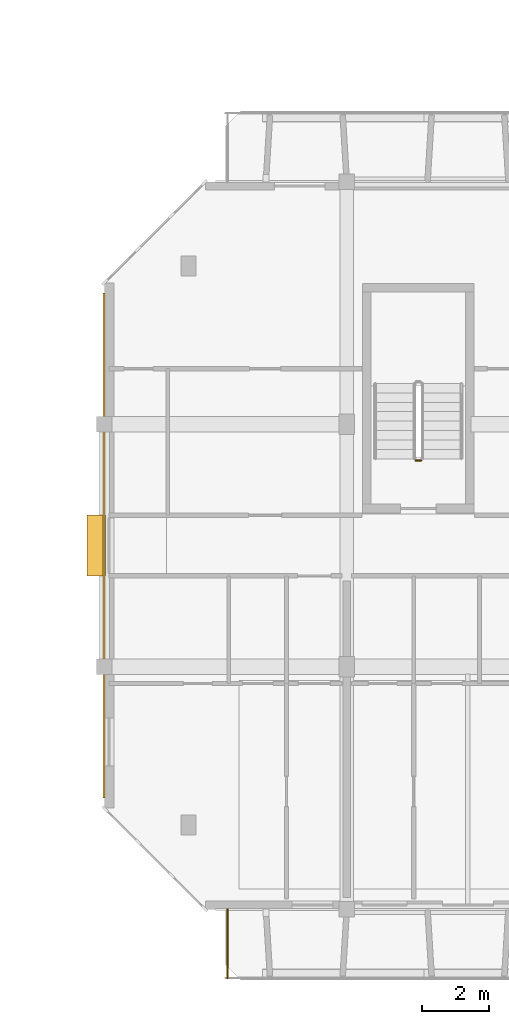
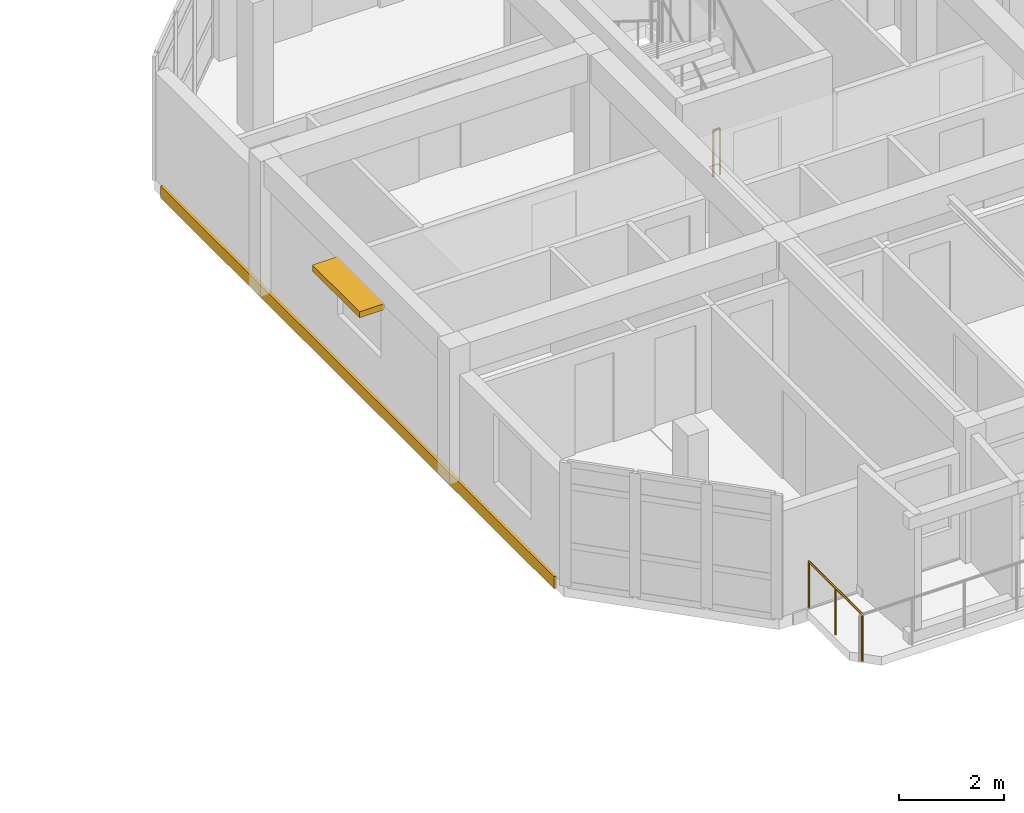
# One storey, part 25 of 30: 2 railings, 1 covering, 1 shading device.
"""IFC4 building model written with IfcOpenShell, lengths in metres."""

from ifc_helpers import new_model, si_unit, direction, frame, origin, origin_2d, place, context, subcontext, project, spatial, rectangle, circle, extrude, material, layer, layer_set, type_object, element, save


model = new_model("IFC4")

# Units and contexts
model_context = context("Model", 3, precision=1e-05, world=origin(), true_north=direction((0.0, 1.0)))
body_context = subcontext(model_context, "Body", "Model", "MODEL_VIEW")
ifc_project = project(units=[si_unit("LENGTHUNIT", "METRE"), si_unit("AREAUNIT", "SQUARE_METRE"), si_unit("VOLUMEUNIT", "CUBIC_METRE"), si_unit("PLANEANGLEUNIT", "RADIAN"), si_unit("MASSUNIT", "GRAM", prefix="KILO")], contexts=[model_context])

# Site, building, storey
site_placement = place(None, origin())
site = spatial("IfcSite", under=ifc_project, at=site_placement, CompositionType="ELEMENT")
building_placement = place(site_placement, origin())
building = spatial("IfcBuilding", under=site, at=building_placement, Name="Ochrevale Crest", CompositionType="ELEMENT")
storey_placement = place(building_placement, frame((0.0, 0.0, 33.89990234375)))
storey = spatial("IfcBuildingStorey", under=building, at=storey_placement, Name="L10", CompositionType="ELEMENT", Elevation=33.89990234375)

# Covering
ifc_material_1 = material(Name="Glazed terracotta rainscreen tile", Category="masonry")
ifc_layer = layer(ifc_material_1, 0.048095703125)
ifc_layer_set = layer_set([ifc_layer], Name="Glazed terracotta rainscreen tile")
covering_type = type_object("IfcCoveringType", Name="COV-CLAD-TER", PredefinedType="CLADDING", material=ifc_layer_set)
covering_placement = place(storey_placement, frame((129.58544921875, 25.199951171875, -0.259765625), z_axis=(0.0, 0.0, 1.0), x_axis=(0.0, -1.0, 0.0)))
element("IfcCovering", 1, at=covering_placement, inside=storey, type_object=covering_type, Name="Block C L10 terracotta slab-edge spandrel cladding", PredefinedType="CLADDING", context=body_context, shape_type="SweptSolid", body=[
    extrude(rectangle(XDim=15.0, YDim=0.06005859375, at=origin_2d()), origin(), (0.0, 0.0, 1.0), 0.280029296875),
])

# Railings
ifc_material_2 = material(Name="Galvanised steel", Category="steel")
railing_type_1 = type_object("IfcRailingType", Name="RL-BAL-1100", PredefinedType="BALUSTRADE", material=ifc_material_2)
railing_1_placement = place(storey_placement, frame((133.260009765625, 14.39990234375, 0.0)))
element("IfcRailing", 2, at=railing_1_placement, inside=storey, type_object=railing_type_1, Name="Block C L10 S-W balcony side guard", PredefinedType="BALUSTRADE", context=body_context, shape_type="SweptSolid", body=[
    extrude(circle(Radius=0.02392578125, at=origin_2d()), frame((0.0, 0.0, 1.0859375), z_axis=(0.0, -1.0, 0.0), x_axis=(1.0, 0.0, 0.0)), (0.0, 0.0, 1.0), 2.039794921875),
    extrude(circle(Radius=0.02099609375, at=origin_2d()), origin(), (0.0, 0.0, 1.0), 1.06201171875),
    extrude(circle(Radius=0.02099609375, at=origin_2d()), frame((0.0, -1.02001953125, 0.0)), (0.0, 0.0, 1.0), 1.06201171875),
    extrude(circle(Radius=0.02099609375, at=origin_2d()), frame((0.0, -2.039794921875, 0.0)), (0.0, 0.0, 1.0), 1.06201171875),
])
railing_type_2 = type_object("IfcRailingType", Name="RL-ST-GUARD", PredefinedType="BALUSTRADE", material=ifc_material_2)
railing_2_placement = place(storey_placement, frame((139.0, 27.72509765625, 0.0)))
element("IfcRailing", 3, at=railing_2_placement, inside=storey, type_object=railing_type_2, Name="L10 ST-C1 stair guard 4", PredefinedType="BALUSTRADE", context=body_context, shape_type="SweptSolid", body=[
    extrude(circle(Radius=0.02392578125, at=origin_2d()), frame((0.0, 0.0, 1.076171875), z_axis=(-1.0, 0.0, 0.0), x_axis=(0.0, -1.0, 0.0)), (0.0, 0.0, 1.0), 0.14990234375),
    extrude(circle(Radius=0.02099609375, at=origin_2d()), origin(), (0.0, 0.0, 1.0), 1.052001953125),
    extrude(circle(Radius=0.02099609375, at=origin_2d()), frame((-0.14990234375, 0.0, 0.0)), (0.0, 0.0, 1.0), 1.052001953125),
])

# Shading device
ifc_material_3 = material(Name="Anodised aluminium 6063-T5", Category="aluminium")
shading_device_type = type_object("IfcShadingDeviceType", Name="SHD-SUNSHADE-OC", PredefinedType="USERDEFINED", material=ifc_material_3)
shading_device_placement = place(storey_placement, frame((129.360107421875, 25.199951171875, 2.2099609375), z_axis=(0.0, 0.0, 1.0), x_axis=(1.0, 0.0, 0.0)))
element("IfcShadingDevice", 4, at=shading_device_placement, inside=storey, type_object=shading_device_type, Name="Block C L10 gable window sunshade W", ObjectType="HORIZONTAL SUNSHADE", PredefinedType="USERDEFINED", context=body_context, shape_type="SweptSolid", body=[
    extrude(rectangle(XDim=0.550048828125, YDim=1.800048828125, at=origin_2d()), origin(), (0.0, 0.0, 1.0), 0.139892578125),
])

save(model, "model.ifc")
